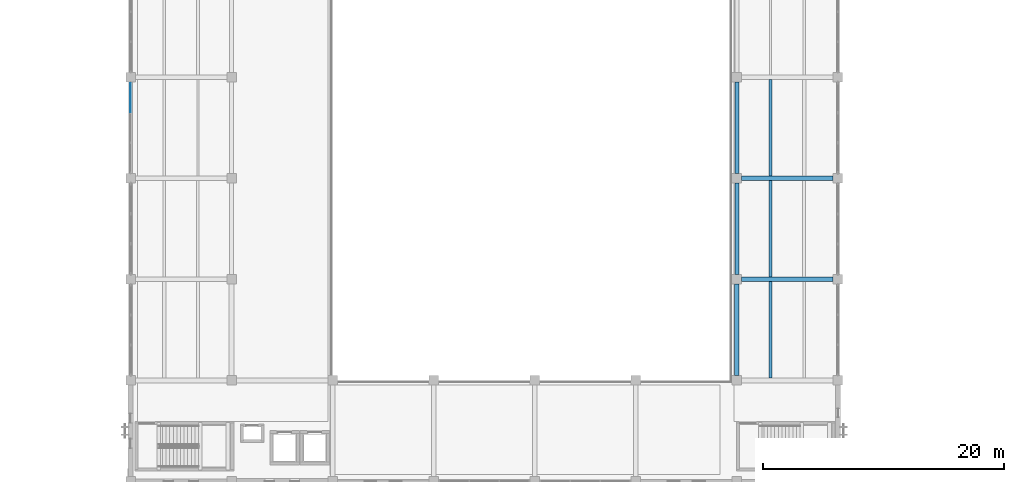
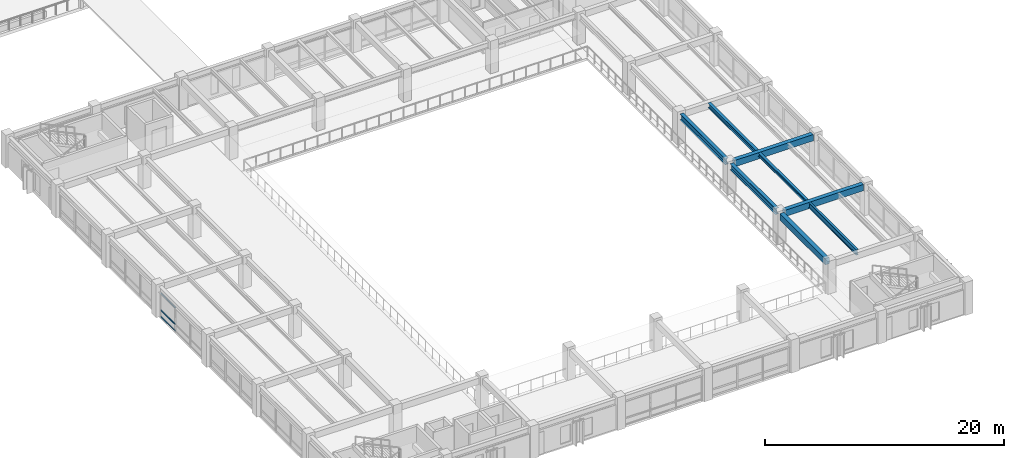
# One storey, part 9 of 111: 8 beams, 3 members, 1 element without a shape of its own.
"""IFC4 building model written with IfcOpenShell, lengths in metres."""

from ifc_helpers import new_model, si_unit, direction, frame, origin, origin_2d, place, context, subcontext, project, spatial, rectangle, i_section, extrude, material, material_profile, profile_set, type_object, element, aggregate, save


model = new_model("IFC4")

# Units and contexts
model_context = context("Model", 3, precision=1e-05, world=origin(), true_north=direction((0.0, 1.0)))
body_context = subcontext(model_context, "Body", "Model", "MODEL_VIEW")
ifc_project = project(units=[si_unit("LENGTHUNIT", "METRE"), si_unit("AREAUNIT", "SQUARE_METRE"), si_unit("VOLUMEUNIT", "CUBIC_METRE"), si_unit("PLANEANGLEUNIT", "RADIAN"), si_unit("MASSUNIT", "GRAM", prefix="KILO")], contexts=[model_context])

# Site, building, storey
site_placement = place(None, origin())
site = spatial("IfcSite", under=ifc_project, at=site_placement, CompositionType="ELEMENT")
building_placement = place(site_placement, origin())
building = spatial("IfcBuilding", under=site, at=building_placement, Name="Cumbredor Promenade Congress Hotel", CompositionType="ELEMENT")
storey_placement = place(building_placement, frame((0.0, 0.0, 15.1201171875)))
storey = spatial("IfcBuildingStorey", under=building, at=storey_placement, Name="L04", CompositionType="ELEMENT", Elevation=15.1201171875)

# Beams
ifc_material_1 = material(Name="Concrete C40/50", Category="concrete")
ifc_material_profile_1 = material_profile(ifc_material_1, rectangle(XDim=0.39990234375, YDim=0.64990234375, at=origin_2d()), Name="RC BEAM 400x650")
ifc_profile_set_1 = profile_set([ifc_material_profile_1], Name="Concrete C40/50")
beam_type_1 = type_object("IfcBeamType", Name="BM-RC-400x650", PredefinedType="BEAM", material=ifc_profile_set_1)
for number, where, z_axis, x_axis, name in (
    (1, (58.800048828125, 17.199951171875, 2.794921875), (0.0, 1.0, 0.0), (-1.0, 0.0, 0.0), "L05 Y-Grid Beam 091"),
    (2, (59.199951171875, 25.199951171875, 2.794921875), (1.0, 0.0, 0.0), (0.0, 1.0, 0.0), "L05 X-Grid Beam 092"),
    (3, (59.199951171875, 33.60009765625, 2.794921875), (1.0, 0.0, 0.0), (0.0, 1.0, 0.0), "L05 X-Grid Beam 094"),
):
    element("IfcBeam", number, at=place(storey_placement, frame(where, z_axis=z_axis, x_axis=x_axis)), inside=storey, type_object=beam_type_1, Name=name, PredefinedType="BEAM", context=body_context, shape_type="SweptSolid", body=[
        extrude(rectangle(XDim=0.39990234375, YDim=0.64990234375, at=origin_2d()), origin(), (0.0, 0.0, 1.0), 7.60009765625),
    ])

# Curtain wall, members
ifc_material_2 = material(Name="Thermally broken anodized aluminium and low-E glass", Category="aluminium")
curtain_wall_type = type_object("IfcCurtainWallType", Name="Unitised Bronze Curtain Wall CW-01", PredefinedType="NOTDEFINED", material=ifc_material_2)
curtain_wall_placement = place(storey_placement, origin())
curtain_wall = element("IfcCurtainWall", 4, at=curtain_wall_placement, inside=storey, type_object=curtain_wall_type, Name="L04 Plenary Congress Hall West Curtain Wall 4", PredefinedType="NOTDEFINED")
ifc_material_3 = material(Name="Thermally broken anodized aluminium", Category="aluminium")
ifc_material_profile_2 = material_profile(ifc_material_3, rectangle(XDim=0.06494140625, YDim=0.1298828125, at=origin_2d()), Name="ALU TRANSOM 65x130")
ifc_profile_set_2 = profile_set([ifc_material_profile_2], Name="Thermally broken anodized aluminium")
member_type = type_object("IfcMemberType", Name="Curtain Wall Transom TR-01", PredefinedType="USERDEFINED", material=ifc_profile_set_2)
member_1_placement = place(storey_placement, frame((8.39990234375, 39.080810546875, 0.059814453125), z_axis=(0.0, 1.0, 0.0), x_axis=(-1.0, 0.0, 0.0)))
member_1 = element("IfcMember", 5, at=member_1_placement, type_object=member_type, Name="L04 Plenary Congress Hall West Curtain Wall 4 Transom 3.1", ObjectType="TRANSOM", PredefinedType="USERDEFINED", context=body_context, shape_type="SweptSolid", body=[
    extrude(rectangle(XDim=0.06494140625, YDim=0.1298828125, at=origin_2d()), origin(), (0.0, 0.0, 1.0), 2.431640625),
])
member_2_placement = place(storey_placement, frame((8.39990234375, 39.080810546875, 0.719970703125), z_axis=(0.0, 1.0, 0.0), x_axis=(-1.0, 0.0, 0.0)))
member_2 = element("IfcMember", 6, at=member_2_placement, type_object=member_type, Name="L04 Plenary Congress Hall West Curtain Wall 4 Transom 3.2", ObjectType="TRANSOM", PredefinedType="USERDEFINED", context=body_context, shape_type="SweptSolid", body=[
    extrude(rectangle(XDim=0.06494140625, YDim=0.1298828125, at=origin_2d()), origin(), (0.0, 0.0, 1.0), 2.431640625),
])
member_3_placement = place(storey_placement, frame((8.39990234375, 39.080810546875, 2.429931640625), z_axis=(0.0, 1.0, 0.0), x_axis=(-1.0, 0.0, 0.0)))
member_3 = element("IfcMember", 7, at=member_3_placement, type_object=member_type, Name="L04 Plenary Congress Hall West Curtain Wall 4 Transom 3.3", ObjectType="TRANSOM", PredefinedType="USERDEFINED", context=body_context, shape_type="SweptSolid", body=[
    extrude(rectangle(XDim=0.06494140625, YDim=0.1298828125, at=origin_2d()), origin(), (0.0, 0.0, 1.0), 2.431640625),
])
aggregate(curtain_wall, [member_1, member_2, member_3])

# Beams
ifc_material_4 = material(Name="Steel ASTM A992 Grade 50", Category="steel")
ifc_material_profile_3 = material_profile(ifc_material_4, i_section(OverallWidth=0.2548828125, OverallDepth=0.35693359375, WebThickness=0.010498046875, FlangeThickness=0.018310546875, at=origin_2d()), Name="W14X68")
ifc_profile_set_3 = profile_set([ifc_material_profile_3], Name="Steel ASTM A992 Grade 50")
beam_type_2 = type_object("IfcBeamType", Name="JST-W14X68", PredefinedType="JOIST", material=ifc_profile_set_3)
beam_1_placement = place(storey_placement, frame((61.60009765625, 25.39990234375, 2.94140625), z_axis=(0.0, 1.0, 0.0), x_axis=(-1.0, 0.0, 0.0)))
element("IfcBeam", 8, at=beam_1_placement, inside=storey, type_object=beam_type_2, Name="L05 Secondary Floor Joist 0050", PredefinedType="JOIST", context=body_context, shape_type="SweptSolid", body=[
    extrude(i_section(OverallWidth=0.2548828125, OverallDepth=0.35693359375, WebThickness=0.010498046875, FlangeThickness=0.018310546875, at=origin_2d()), origin(), (0.0, 0.0, 1.0), 8.0),
])
ifc_material_profile_4 = material_profile(ifc_material_4, i_section(OverallWidth=0.280029296875, OverallDepth=0.462890625, WebThickness=0.0107421875, FlangeThickness=0.017333984375, at=origin_2d()), Name="W18X76")
ifc_profile_set_4 = profile_set([ifc_material_profile_4], Name="Steel ASTM A992 Grade 50")
beam_type_3 = type_object("IfcBeamType", Name="JST-W18X76", PredefinedType="JOIST", material=ifc_profile_set_4)
beam_2_placement = place(storey_placement, frame((61.60009765625, 33.800048828125, 2.888427734375), z_axis=(0.0, 1.0, 0.0), x_axis=(-1.0, 0.0, 0.0)))
element("IfcBeam", 9, at=beam_2_placement, inside=storey, type_object=beam_type_3, Name="L05 Secondary Floor Joist 0052", PredefinedType="JOIST", context=body_context, shape_type="SweptSolid", body=[
    extrude(i_section(OverallWidth=0.280029296875, OverallDepth=0.462890625, WebThickness=0.0107421875, FlangeThickness=0.017333984375, at=origin_2d()), origin(), (0.0, 0.0, 1.0), 8.0),
])
ifc_material_profile_5 = material_profile(ifc_material_4, i_section(OverallWidth=0.214111328125, OverallDepth=0.549072265625, WebThickness=0.0146484375, FlangeThickness=0.023681640625, at=origin_2d()), Name="W21X93")
ifc_profile_set_5 = profile_set([ifc_material_profile_5], Name="Steel ASTM A992 Grade 50")
beam_type_4 = type_object("IfcBeamType", Name="JST-W21X93", PredefinedType="JOIST", material=ifc_profile_set_5)
beam_3_placement = place(storey_placement, frame((61.60009765625, 17.0, 2.845458984375), z_axis=(0.0, 1.0, 0.0), x_axis=(-1.0, 0.0, 0.0)))
element("IfcBeam", 10, at=beam_3_placement, inside=storey, type_object=beam_type_4, Name="L05 Secondary Floor Joist 0048", PredefinedType="JOIST", context=body_context, shape_type="SweptSolid", body=[
    extrude(i_section(OverallWidth=0.214111328125, OverallDepth=0.549072265625, WebThickness=0.0146484375, FlangeThickness=0.023681640625, at=origin_2d()), origin(), (0.0, 0.0, 1.0), 8.0),
])
ifc_material_profile_6 = material_profile(ifc_material_4, i_section(OverallWidth=0.323974609375, OverallDepth=0.611083984375, WebThickness=0.0126953125, FlangeThickness=0.01904296875, at=origin_2d()), Name="W24X104")
ifc_profile_set_6 = profile_set([ifc_material_profile_6], Name="Steel ASTM A992 Grade 50")
beam_type_5 = type_object("IfcBeamType", Name="SP-W24X104", PredefinedType="SPANDREL", material=ifc_profile_set_6)
beam_4_placement = place(storey_placement, frame((58.800048828125, 25.60009765625, 2.814453125), z_axis=(0.0, 1.0, 0.0), x_axis=(-1.0, 0.0, 0.0)))
element("IfcBeam", 11, at=beam_4_placement, inside=storey, type_object=beam_type_5, Name="L05 Y-Grid Beam 093", PredefinedType="SPANDREL", context=body_context, shape_type="SweptSolid", body=[
    extrude(i_section(OverallWidth=0.323974609375, OverallDepth=0.611083984375, WebThickness=0.0126953125, FlangeThickness=0.01904296875, at=origin_2d()), origin(), (0.0, 0.0, 1.0), 7.599853515625),
])
beam_5_placement = place(storey_placement, frame((58.800048828125, 34.0, 2.814453125), z_axis=(0.0, 1.0, 0.0), x_axis=(-1.0, 0.0, 0.0)))
element("IfcBeam", 12, at=beam_5_placement, inside=storey, type_object=beam_type_5, Name="L05 Y-Grid Beam 095", PredefinedType="SPANDREL", context=body_context, shape_type="SweptSolid", body=[
    extrude(i_section(OverallWidth=0.323974609375, OverallDepth=0.611083984375, WebThickness=0.0126953125, FlangeThickness=0.01904296875, at=origin_2d()), origin(), (0.0, 0.0, 1.0), 7.60009765625),
])

save(model, "model.ifc")
